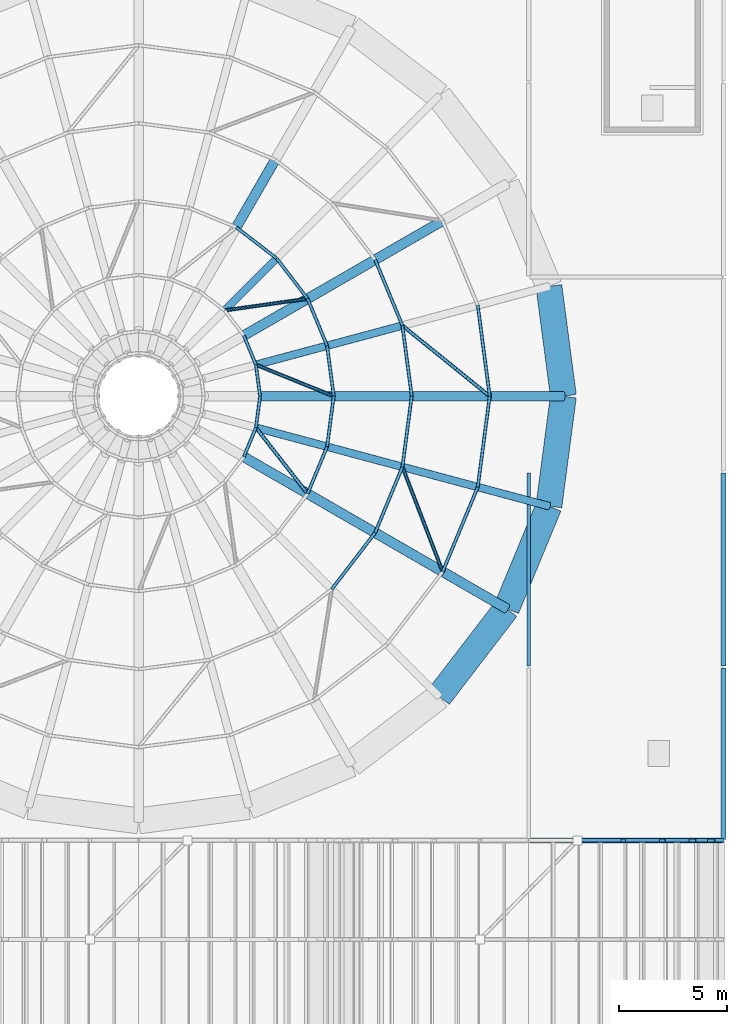
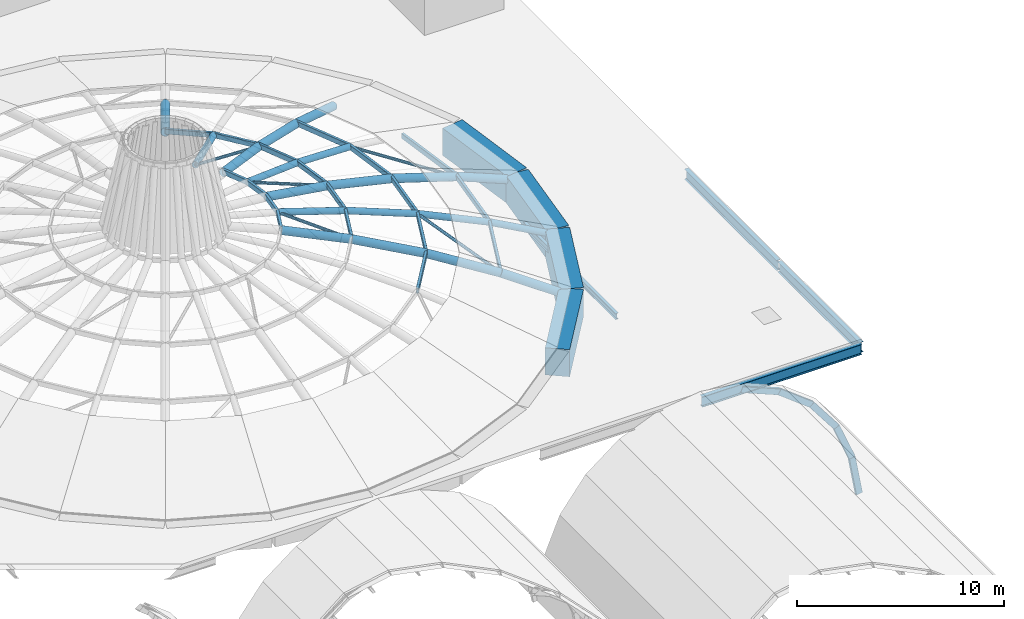
# One storey, part 11 of 25: 47 members, 8 beams.
"""IFC4 building model written with IfcOpenShell, lengths in metres."""

from ifc_helpers import new_model, si_unit, direction, frame, origin, origin_2d, place, context, subcontext, project, spatial, rectangle, hollow_rectangle, hollow_circle, i_section, extrude, material, material_profile, profile_set, type_object, element, save


model = new_model("IFC4")

# Units and contexts
model_context = context("Model", 3, precision=1e-05, world=origin(), true_north=direction((0.0, 1.0)))
body_context = subcontext(model_context, "Body", "Model", "MODEL_VIEW")
ifc_project = project(units=[si_unit("LENGTHUNIT", "METRE"), si_unit("AREAUNIT", "SQUARE_METRE"), si_unit("VOLUMEUNIT", "CUBIC_METRE"), si_unit("PLANEANGLEUNIT", "RADIAN"), si_unit("MASSUNIT", "GRAM", prefix="KILO")], contexts=[model_context])

# Site, building, storey
site_placement = place(None, origin())
site = spatial("IfcSite", under=ifc_project, at=site_placement, CompositionType="ELEMENT")
building_placement = place(site_placement, origin())
building = spatial("IfcBuilding", under=site, at=building_placement, Name="Marnock Terrace Opera House", CompositionType="ELEMENT")
storey_placement = place(building_placement, frame((0.0, 0.0, 28.199951171875)))
storey = spatial("IfcBuildingStorey", under=building, at=storey_placement, Name="RF", CompositionType="ELEMENT", Elevation=28.199951171875)

# Beams
ifc_material_1 = material(Name="Steel Grade 350 (AS/NZS 3679.1)", Category="steel")
ifc_material_profile_1 = material_profile(ifc_material_1, i_section(OverallWidth=0.1708984375, OverallDepth=0.355712890625, WebThickness=0.00732421875, FlangeThickness=0.011474609375, FilletRadius=0.011474609375, at=origin_2d()))
ifc_profile_set_1 = profile_set([ifc_material_profile_1], Name="Steel Grade 350 (AS/NZS 3679.1)")
beam_type_1 = type_object("IfcBeamType", Name="BM-GIRD-360", PredefinedType="BEAM", material=ifc_profile_set_1)
beam_1_placement = place(storey_placement, frame((100.0, 48.050048828125, -0.397705078125), z_axis=(0.0, 1.0, 0.0), x_axis=(-1.0, 0.0, 0.0)))
element("IfcBeam", 1, at=beam_1_placement, inside=storey, type_object=beam_type_1, Name="RF girder (X=100.0, 48.0..57.0)", PredefinedType="BEAM", context=body_context, shape_type="SweptSolid", body=[
    extrude(i_section(OverallWidth=0.1708984375, OverallDepth=0.355712890625, WebThickness=0.00732421875, FlangeThickness=0.011474609375, FilletRadius=0.011474609375, at=origin_2d()), origin(), (0.0, 0.0, 1.0), 8.89990234375),
])
ifc_material_profile_2 = material_profile(ifc_material_1, i_section(OverallWidth=0.22900390625, OverallDepth=0.611572265625, WebThickness=0.011962890625, FlangeThickness=0.01953125, FilletRadius=0.013916015625, at=origin_2d()))
ifc_profile_set_2 = profile_set([ifc_material_profile_2], Name="Steel Grade 350 (AS/NZS 3679.1)")
beam_type_2 = type_object("IfcBeamType", Name="BM-GIRD-610A", PredefinedType="BEAM", material=ifc_profile_set_2)
beam_2_placement = place(storey_placement, frame((100.050048828125, 40.0, -0.525634765625), z_axis=(1.0, 0.0, 0.0), x_axis=(0.0, 1.0, 0.0)))
element("IfcBeam", 2, at=beam_2_placement, inside=storey, type_object=beam_type_2, Name="RF girder (100.0..109.0, Y=40.0)", PredefinedType="BEAM", context=body_context, shape_type="SweptSolid", body=[
    extrude(i_section(OverallWidth=0.22900390625, OverallDepth=0.611572265625, WebThickness=0.011962890625, FlangeThickness=0.01953125, FilletRadius=0.013916015625, at=origin_2d()), origin(), (0.0, 0.0, 1.0), 8.89990234375),
])
ifc_material_profile_3 = material_profile(ifc_material_1, i_section(OverallWidth=0.22802734375, OverallDepth=0.60205078125, WebThickness=0.010498046875, FlangeThickness=0.014892578125, FilletRadius=0.013916015625, at=origin_2d()))
ifc_profile_set_3 = profile_set([ifc_material_profile_3], Name="Steel Grade 350 (AS/NZS 3679.1)")
beam_type_3 = type_object("IfcBeamType", Name="BM-GIRD-610C", PredefinedType="BEAM", material=ifc_profile_set_3)
beam_3_placement = place(storey_placement, frame((109.0, 40.050048828125, -0.52099609375), z_axis=(0.0, 1.0, 0.0), x_axis=(-1.0, 0.0, 0.0)))
element("IfcBeam", 3, at=beam_3_placement, inside=storey, type_object=beam_type_3, Name="RF girder (X=109.0, 40.0..48.0)", PredefinedType="BEAM", context=body_context, shape_type="SweptSolid", body=[
    extrude(i_section(OverallWidth=0.22802734375, OverallDepth=0.60205078125, WebThickness=0.010498046875, FlangeThickness=0.014892578125, FilletRadius=0.013916015625, at=origin_2d()), origin(), (0.0, 0.0, 1.0), 7.89990234375),
])
beam_4_placement = place(storey_placement, frame((109.0, 48.050048828125, -0.52099609375), z_axis=(0.0, 1.0, 0.0), x_axis=(-1.0, 0.0, 0.0)))
element("IfcBeam", 4, at=beam_4_placement, inside=storey, type_object=beam_type_3, Name="RF girder (X=109.0, 48.0..57.0)", PredefinedType="BEAM", context=body_context, shape_type="SweptSolid", body=[
    extrude(i_section(OverallWidth=0.22802734375, OverallDepth=0.60205078125, WebThickness=0.010498046875, FlangeThickness=0.014892578125, FilletRadius=0.013916015625, at=origin_2d()), origin(), (0.0, 0.0, 1.0), 8.89990234375),
])
ifc_material_2 = material(Name="Concrete N50 (f'c = 50 MPa)", Category="concrete")
ifc_material_profile_4 = material_profile(ifc_material_2, rectangle(XDim=1.199951171875, YDim=1.60009765625, at=origin_2d()))
ifc_profile_set_4 = profile_set([ifc_material_profile_4], Name="Concrete N50 (f'c = 50 MPa)")
beam_type_4 = type_object("IfcBeamType", Name="BM-RING-RC1200", PredefinedType="BEAM", material=ifc_profile_set_4)
beam_5_placement = place(storey_placement, frame((101.60009765625, 60.5, -0.800048828125), z_axis=(-0.130591512704, 0.99143625958, 0.0), x_axis=(-0.99143625958, -0.130591512704, 0.0)))
element("IfcBeam", 5, at=beam_5_placement, inside=storey, type_object=beam_type_4, Name="Auditorium drum Concrete N50 ring beam segment 1", PredefinedType="BEAM", context=body_context, shape_type="SweptSolid", body=[
    extrude(rectangle(XDim=1.199951171875, YDim=1.60009765625, at=origin_2d()), origin(), (0.0, 0.0, 1.0), 5.11669921875),
])
for number, where, z_axis, x_axis, name in (
    (6, (95.85888671875, 46.64111328125, -0.800048828125), (0.608857194409, 0.793279847731, 0.0), (-0.793279847731, 0.608857194409, 0.0), "Auditorium drum Concrete N50 ring beam segment 22"),
    (7, (98.97412109375, 50.699951171875, -0.800048828125), (0.382642581018, 0.923896452635, 0.0), (-0.923896452635, 0.382642581018, 0.0), "Auditorium drum Concrete N50 ring beam segment 23"),
):
    element("IfcBeam", number, at=place(storey_placement, frame(where, z_axis=z_axis, x_axis=x_axis)), inside=storey, type_object=beam_type_4, Name=name, PredefinedType="BEAM", context=body_context, shape_type="SweptSolid", body=[
        extrude(rectangle(XDim=1.199951171875, YDim=1.60009765625, at=origin_2d()), origin(), (0.0, 0.0, 1.0), 5.116455078125),
    ])
beam_6_placement = place(storey_placement, frame((100.931884765625, 55.427001953125, -0.800048828125), z_axis=(0.130591512704, 0.99143625958, 0.0), x_axis=(-0.99143625958, 0.130591512704, 0.0)))
element("IfcBeam", 8, at=beam_6_placement, inside=storey, type_object=beam_type_4, Name="Auditorium drum Concrete N50 ring beam segment 24", PredefinedType="BEAM", context=body_context, shape_type="SweptSolid", body=[
    extrude(rectangle(XDim=1.199951171875, YDim=1.60009765625, at=origin_2d()), origin(), (0.0, 0.0, 1.0), 5.11669921875),
])

# Members
ifc_material_3 = material(Name="Cold-formed Steel Grade C350L0 (AS/NZS 1163)", Category="steel")
ifc_material_profile_5 = material_profile(ifc_material_3, hollow_circle(Radius=0.084228515625, WallThickness=0.007080078125, at=origin_2d()))
ifc_profile_set_5 = profile_set([ifc_material_profile_5], Name="Cold-formed Steel Grade C350L0 (AS/NZS 1163)")
member_type_1 = type_object("IfcMemberType", Name="MEM-BRACE-CHS2", PredefinedType="BRACE", material=ifc_profile_set_5)
member_1_placement = place(storey_placement, frame((98.199951171875, 60.5, 0.932861328125), z_axis=(-0.757408080291, 0.613030606915, 0.224780948695), x_axis=(-0.629130483075, -0.777299707491, 0.0)))
element("IfcMember", 9, at=member_1_placement, inside=storey, type_object=member_type_1, Name="Auditorium dome diagonal shell brace 1.1", PredefinedType="BRACE", context=body_context, shape_type="SweptSolid", body=[
    extrude(hollow_circle(Radius=0.084228515625, WallThickness=0.007080078125, at=origin_2d()), origin(), (0.0, 0.0, 1.0), 5.31982421875),
])
for number, where, z_axis, x_axis, name in (
    (10, (91.0, 60.5, 2.915283203125), (-0.917112191808, 0.370199556892, 0.147842875087), (-0.374312933538, -0.92730244677, 0.0), "Auditorium dome diagonal shell brace 3.1"),
    (11, (89.794189453125, 65.0, 2.915283203125), (-0.97933723571, -0.137990150428, 0.147842135863), (0.139523376713, -0.990218777519, 0.0), "Auditorium dome diagonal shell brace 3.3"),
):
    element("IfcMember", number, at=place(storey_placement, frame(where, z_axis=z_axis, x_axis=x_axis)), inside=storey, type_object=member_type_1, Name=name, PredefinedType="BRACE", context=body_context, shape_type="SweptSolid", body=[
        extrude(hollow_circle(Radius=0.084228515625, WallThickness=0.007080078125, at=origin_2d()), origin(), (0.0, 0.0, 1.0), 3.915283203125),
    ])
member_2_placement = place(storey_placement, frame((96.029541015625, 52.39990234375, 0.932861328125), z_axis=(-0.349429396541, 0.9095995061, 0.224783974817), x_axis=(-0.933488769073, -0.358606634093, 0.0)))
element("IfcMember", 12, at=member_2_placement, inside=storey, type_object=member_type_1, Name="Auditorium dome diagonal shell brace 1.23", PredefinedType="BRACE", context=body_context, shape_type="SweptSolid", body=[
    extrude(hollow_circle(Radius=0.084228515625, WallThickness=0.007080078125, at=origin_2d()), origin(), (0.0, 0.0, 1.0), 5.31982421875),
])
member_3_placement = place(storey_placement, frame((89.794189453125, 56.0, 2.915283203125), z_axis=(-0.609160158233, 0.779143840426, 0.147847142509), x_axis=(-0.787801603873, -0.615929081092, 0.0)))
element("IfcMember", 13, at=member_3_placement, inside=storey, type_object=member_type_1, Name="Auditorium dome diagonal shell brace 3.23", PredefinedType="BRACE", context=body_context, shape_type="SweptSolid", body=[
    extrude(hollow_circle(Radius=0.084228515625, WallThickness=0.007080078125, at=origin_2d()), origin(), (0.0, 0.0, 1.0), 3.915283203125),
])
ifc_material_profile_6 = material_profile(ifc_material_3, hollow_circle(Radius=0.228515625, WallThickness=0.0126953125, at=origin_2d()))
ifc_profile_set_6 = profile_set([ifc_material_profile_6], Name="Cold-formed Steel Grade C350L0 (AS/NZS 1163)")
member_type_2 = type_object("IfcMemberType", Name="MEM-DOME-RIB1", PredefinedType="RAFTER", material=ifc_profile_set_6)
member_4_placement = place(storey_placement, frame((101.60009765625, 60.5, -0.447509765625), z_axis=(-0.926555721782, 0.0, 0.376157539381), x_axis=(0.0, -1.0, 0.0)))
element("IfcMember", 14, at=member_4_placement, inside=storey, type_object=member_type_2, Name="Auditorium dome meridian steel rib 1.1", PredefinedType="RAFTER", context=body_context, shape_type="SweptSolid", body=[
    extrude(hollow_circle(Radius=0.228515625, WallThickness=0.0126953125, at=origin_2d()), origin(), (0.0, 0.0, 1.0), 3.669677734375),
])
member_5_placement = place(storey_placement, frame((98.199951171875, 60.5, 0.932861328125), z_axis=(-0.95308608931, 0.0, 0.30269936631), x_axis=(0.0, -1.0, 0.0)))
element("IfcMember", 15, at=member_5_placement, inside=storey, type_object=member_type_2, Name="Auditorium dome meridian steel rib 1.2", PredefinedType="RAFTER", context=body_context, shape_type="SweptSolid", body=[
    extrude(hollow_circle(Radius=0.228515625, WallThickness=0.0126953125, at=origin_2d()), origin(), (0.0, 0.0, 1.0), 3.777099609375),
])
member_6_placement = place(storey_placement, frame((94.60009765625, 60.5, 2.076171875), z_axis=(-0.973895743392, 0.0, 0.226995773094), x_axis=(0.0, -1.0, 0.0)))
element("IfcMember", 16, at=member_6_placement, inside=storey, type_object=member_type_2, Name="Auditorium dome meridian steel rib 1.3", PredefinedType="RAFTER", context=body_context, shape_type="SweptSolid", body=[
    extrude(hollow_circle(Radius=0.228515625, WallThickness=0.0126953125, at=origin_2d()), origin(), (0.0, 0.0, 1.0), 3.696533203125),
])
member_7_placement = place(storey_placement, frame((91.0, 60.5, 2.915283203125), z_axis=(-0.988162407226, 0.0, 0.153411397704), x_axis=(0.0, -1.0, 0.0)))
element("IfcMember", 17, at=member_7_placement, inside=storey, type_object=member_type_2, Name="Auditorium dome meridian steel rib 1.4", PredefinedType="RAFTER", context=body_context, shape_type="SweptSolid", body=[
    extrude(hollow_circle(Radius=0.228515625, WallThickness=0.0126953125, at=origin_2d()), origin(), (0.0, 0.0, 1.0), 3.440673828125),
])
member_8_placement = place(storey_placement, frame((96.029541015625, 68.60009765625, 0.932861328125), z_axis=(-0.825393435403, -0.476556444732, 0.302687349882), x_axis=(0.500012057535, -0.866018442252, 0.0)))
element("IfcMember", 18, at=member_8_placement, inside=storey, type_object=member_type_2, Name="Auditorium dome meridian steel rib 3.2", PredefinedType="RAFTER", context=body_context, shape_type="SweptSolid", body=[
    extrude(hollow_circle(Radius=0.228515625, WallThickness=0.0126953125, at=origin_2d()), origin(), (0.0, 0.0, 1.0), 3.777099609375),
])
member_9_placement = place(storey_placement, frame((92.911865234375, 66.800048828125, 2.076171875), z_axis=(-0.843410626592, -0.486959009386, 0.227000965043), x_axis=(0.500012057535, -0.866018442252, 0.0)))
element("IfcMember", 19, at=member_9_placement, inside=storey, type_object=member_type_2, Name="Auditorium dome meridian steel rib 3.3", PredefinedType="RAFTER", context=body_context, shape_type="SweptSolid", body=[
    extrude(hollow_circle(Radius=0.228515625, WallThickness=0.0126953125, at=origin_2d()), origin(), (0.0, 0.0, 1.0), 3.696533203125),
])
member_10_placement = place(storey_placement, frame((89.794189453125, 65.0, 2.915283203125), z_axis=(-0.855768624059, -0.494089297622, 0.15341391088), x_axis=(0.500008388397, -0.866020560687, 0.0)))
element("IfcMember", 20, at=member_10_placement, inside=storey, type_object=member_type_2, Name="Auditorium dome meridian steel rib 3.4", PredefinedType="RAFTER", context=body_context, shape_type="SweptSolid", body=[
    extrude(hollow_circle(Radius=0.228515625, WallThickness=0.0126953125, at=origin_2d()), origin(), (0.0, 0.0, 1.0), 3.440673828125),
])
member_11_placement = place(storey_placement, frame((88.300048828125, 71.411865234375, 2.076171875), z_axis=(-0.486959009386, -0.843410626592, 0.227000965043), x_axis=(0.866018442252, -0.500012057535, 0.0)))
element("IfcMember", 21, at=member_11_placement, inside=storey, type_object=member_type_2, Name="Auditorium dome meridian steel rib 5.3", PredefinedType="RAFTER", context=body_context, shape_type="SweptSolid", body=[
    extrude(hollow_circle(Radius=0.228515625, WallThickness=0.0126953125, at=origin_2d()), origin(), (0.0, 0.0, 1.0), 3.696533203125),
])
member_12_placement = place(storey_placement, frame((98.97412109375, 50.699951171875, -0.447509765625), z_axis=(-0.802429941568, 0.463255093536, 0.376166063313), x_axis=(-0.499977295307, -0.866038511948, 0.0)))
element("IfcMember", 22, at=member_12_placement, inside=storey, type_object=member_type_2, Name="Auditorium dome meridian steel rib 23.1", PredefinedType="RAFTER", context=body_context, shape_type="SweptSolid", body=[
    extrude(hollow_circle(Radius=0.228515625, WallThickness=0.0126953125, at=origin_2d()), origin(), (0.0, 0.0, 1.0), 3.669677734375),
])
member_13_placement = place(storey_placement, frame((96.029541015625, 52.39990234375, 0.932861328125), z_axis=(-0.825393435403, 0.476556444732, 0.302687349882), x_axis=(-0.500012057535, -0.866018442252, 0.0)))
element("IfcMember", 23, at=member_13_placement, inside=storey, type_object=member_type_2, Name="Auditorium dome meridian steel rib 23.2", PredefinedType="RAFTER", context=body_context, shape_type="SweptSolid", body=[
    extrude(hollow_circle(Radius=0.228515625, WallThickness=0.0126953125, at=origin_2d()), origin(), (0.0, 0.0, 1.0), 3.777099609375),
])
member_14_placement = place(storey_placement, frame((92.911865234375, 54.199951171875, 2.076171875), z_axis=(-0.843410626592, 0.486959009386, 0.227000965043), x_axis=(-0.500012057535, -0.866018442252, 0.0)))
element("IfcMember", 24, at=member_14_placement, inside=storey, type_object=member_type_2, Name="Auditorium dome meridian steel rib 23.3", PredefinedType="RAFTER", context=body_context, shape_type="SweptSolid", body=[
    extrude(hollow_circle(Radius=0.228515625, WallThickness=0.0126953125, at=origin_2d()), origin(), (0.0, 0.0, 1.0), 3.696533203125),
])
member_15_placement = place(storey_placement, frame((89.794189453125, 56.0, 2.915283203125), z_axis=(-0.855768624059, 0.494089297622, 0.15341391088), x_axis=(-0.500008388397, -0.866020560687, 0.0)))
element("IfcMember", 25, at=member_15_placement, inside=storey, type_object=member_type_2, Name="Auditorium dome meridian steel rib 23.4", PredefinedType="RAFTER", context=body_context, shape_type="SweptSolid", body=[
    extrude(hollow_circle(Radius=0.228515625, WallThickness=0.0126953125, at=origin_2d()), origin(), (0.0, 0.0, 1.0), 3.440673828125),
])
ifc_material_profile_7 = material_profile(ifc_material_3, hollow_circle(Radius=0.177734375, WallThickness=0.0126953125, at=origin_2d()))
ifc_profile_set_7 = profile_set([ifc_material_profile_7], Name="Cold-formed Steel Grade C350L0 (AS/NZS 1163)")
member_type_3 = type_object("IfcMemberType", Name="MEM-DOME-RIB2", PredefinedType="RAFTER", material=ifc_profile_set_7)
member_16_placement = place(storey_placement, frame((94.170654296875, 63.76123046875, 2.128662109375), z_axis=(-0.940756200194, -0.252114471399, 0.226751108282), x_axis=(0.258856987296, -0.96591565891, 0.0)))
element("IfcMember", 26, at=member_16_placement, inside=storey, type_object=member_type_3, Name="Auditorium dome meridian steel rib 2.3", PredefinedType="RAFTER", context=body_context, shape_type="SweptSolid", body=[
    extrude(hollow_circle(Radius=0.177734375, WallThickness=0.0126953125, at=origin_2d()), origin(), (0.0, 0.0, 1.0), 3.6962890625),
])
member_17_placement = place(storey_placement, frame((90.693359375, 62.829345703125, 2.966796875), z_axis=(-0.954521061938, -0.255731036814, 0.153268323951), x_axis=(0.258788726886, -0.965933949521, 0.0)))
element("IfcMember", 27, at=member_17_placement, inside=storey, type_object=member_type_3, Name="Auditorium dome meridian steel rib 2.4", PredefinedType="RAFTER", context=body_context, shape_type="SweptSolid", body=[
    extrude(hollow_circle(Radius=0.177734375, WallThickness=0.0126953125, at=origin_2d()), origin(), (0.0, 0.0, 1.0), 3.440673828125),
])
member_18_placement = place(storey_placement, frame((88.364013671875, 66.864013671875, 2.966796875), z_axis=(-0.698752930171, -0.698752930171, 0.153260187771), x_axis=(0.707106781187, -0.707106781187, 0.0)))
element("IfcMember", 28, at=member_18_placement, inside=storey, type_object=member_type_3, Name="Auditorium dome meridian steel rib 4.4", PredefinedType="RAFTER", context=body_context, shape_type="SweptSolid", body=[
    extrude(hollow_circle(Radius=0.177734375, WallThickness=0.0126953125, at=origin_2d()), origin(), (0.0, 0.0, 1.0), 3.44091796875),
])
member_19_placement = place(storey_placement, frame((100.93212890625, 55.42724609375, -0.39208984375), z_axis=(-0.895120689773, 0.239816753341, 0.375828252739), x_axis=(-0.258788726886, -0.965933949521, 0.0)))
element("IfcMember", 29, at=member_19_placement, inside=storey, type_object=member_type_3, Name="Auditorium dome meridian steel rib 24.1", PredefinedType="RAFTER", context=body_context, shape_type="SweptSolid", body=[
    extrude(hollow_circle(Radius=0.177734375, WallThickness=0.0126953125, at=origin_2d()), origin(), (0.0, 0.0, 1.0), 3.6689453125),
])
member_20_placement = place(storey_placement, frame((97.64794921875, 56.30712890625, 0.98681640625), z_axis=(-0.920726875338, 0.246682142546, 0.302340770621), x_axis=(-0.258793712962, -0.96593261366, 0.0)))
element("IfcMember", 30, at=member_20_placement, inside=storey, type_object=member_type_3, Name="Auditorium dome meridian steel rib 24.2", PredefinedType="RAFTER", context=body_context, shape_type="SweptSolid", body=[
    extrude(hollow_circle(Radius=0.177734375, WallThickness=0.0126953125, at=origin_2d()), origin(), (0.0, 0.0, 1.0), 3.776611328125),
])
member_21_placement = place(storey_placement, frame((94.170654296875, 57.23876953125, 2.128662109375), z_axis=(-0.940756200194, 0.252114471399, 0.226751108282), x_axis=(-0.258856987296, -0.96591565891, 0.0)))
element("IfcMember", 31, at=member_21_placement, inside=storey, type_object=member_type_3, Name="Auditorium dome meridian steel rib 24.3", PredefinedType="RAFTER", context=body_context, shape_type="SweptSolid", body=[
    extrude(hollow_circle(Radius=0.177734375, WallThickness=0.0126953125, at=origin_2d()), origin(), (0.0, 0.0, 1.0), 3.6962890625),
])
member_22_placement = place(storey_placement, frame((90.693359375, 58.170654296875, 2.966796875), z_axis=(-0.954521061938, 0.255731036814, 0.153268323951), x_axis=(-0.258788726886, -0.965933949521, 0.0)))
element("IfcMember", 32, at=member_22_placement, inside=storey, type_object=member_type_3, Name="Auditorium dome meridian steel rib 24.4", PredefinedType="RAFTER", context=body_context, shape_type="SweptSolid", body=[
    extrude(hollow_circle(Radius=0.177734375, WallThickness=0.0126953125, at=origin_2d()), origin(), (0.0, 0.0, 1.0), 3.440673828125),
])
ifc_material_profile_8 = material_profile(ifc_material_3, hollow_rectangle(XDim=0.14990234375, YDim=0.300048828125, WallThickness=0.010009765625, InnerFilletRadius=0.010009765625, OuterFilletRadius=0.02001953125, at=origin_2d()))
ifc_profile_set_8 = profile_set([ifc_material_profile_8], Name="Cold-formed Steel Grade C350L0 (AS/NZS 1163)")
member_type_4 = type_object("IfcMemberType", Name="MEM-DOME-RING1", PredefinedType="PURLIN", material=ifc_profile_set_8)
member_23_placement = place(storey_placement, frame((98.199951171875, 60.5, 1.000732421875), z_axis=(-0.130526192585, 0.991444861326, 0.0), x_axis=(-0.991444861326, -0.130526192585, 0.0)))
element("IfcMember", 33, at=member_23_placement, inside=storey, type_object=member_type_4, Name="Auditorium dome latitude purlin ring 1.1", PredefinedType="PURLIN", context=body_context, shape_type="SweptSolid", body=[
    extrude(hollow_rectangle(XDim=0.14990234375, YDim=0.300048828125, WallThickness=0.010009765625, InnerFilletRadius=0.010009765625, OuterFilletRadius=0.02001953125, at=origin_2d()), origin(), (0.0, 0.0, 1.0), 4.22900390625),
])
member_24_placement = place(storey_placement, frame((94.60009765625, 60.5, 2.14453125), z_axis=(-0.130554348709, 0.991441154095, 0.0), x_axis=(-0.991441154095, -0.130554348709, 0.0)))
element("IfcMember", 34, at=member_24_placement, inside=storey, type_object=member_type_4, Name="Auditorium dome latitude purlin ring 2.1", PredefinedType="PURLIN", context=body_context, shape_type="SweptSolid", body=[
    extrude(hollow_rectangle(XDim=0.14990234375, YDim=0.300048828125, WallThickness=0.010009765625, InnerFilletRadius=0.010009765625, OuterFilletRadius=0.02001953125, at=origin_2d()), origin(), (0.0, 0.0, 1.0), 3.289306640625),
])
member_25_placement = place(storey_placement, frame((91.0, 60.5, 2.985595703125), z_axis=(-0.130516337425, 0.991446158732, 0.0), x_axis=(-0.991446158732, -0.130516337425, 0.0)))
element("IfcMember", 35, at=member_25_placement, inside=storey, type_object=member_type_4, Name="Auditorium dome latitude purlin ring 3.1", PredefinedType="PURLIN", context=body_context, shape_type="SweptSolid", body=[
    extrude(hollow_rectangle(XDim=0.14990234375, YDim=0.300048828125, WallThickness=0.010009765625, InnerFilletRadius=0.010009765625, OuterFilletRadius=0.02001953125, at=origin_2d()), origin(), (0.0, 0.0, 1.0), 2.349365234375),
])
member_26_placement = place(storey_placement, frame((87.60009765625, 60.5, 3.516357421875), z_axis=(-0.130588423975, 0.991436666421, 0.0), x_axis=(-0.991436666421, -0.130588423975, 0.0)))
element("IfcMember", 36, at=member_26_placement, inside=storey, type_object=member_type_4, Name="Auditorium dome latitude purlin ring 4.1", PredefinedType="PURLIN", context=body_context, shape_type="SweptSolid", body=[
    extrude(hollow_rectangle(XDim=0.14990234375, YDim=0.300048828125, WallThickness=0.010009765625, InnerFilletRadius=0.010009765625, OuterFilletRadius=0.02001953125, at=origin_2d()), origin(), (0.0, 0.0, 1.0), 1.4619140625),
])
member_27_placement = place(storey_placement, frame((94.170654296875, 63.76123046875, 2.14453125), z_axis=(-0.382701411628, 0.923872085052, 0.0), x_axis=(-0.923872085052, -0.382701411628, 0.0)))
element("IfcMember", 37, at=member_27_placement, inside=storey, type_object=member_type_4, Name="Auditorium dome latitude purlin ring 2.2", PredefinedType="PURLIN", context=body_context, shape_type="SweptSolid", body=[
    extrude(hollow_rectangle(XDim=0.14990234375, YDim=0.300048828125, WallThickness=0.010009765625, InnerFilletRadius=0.010009765625, OuterFilletRadius=0.02001953125, at=origin_2d()), origin(), (0.0, 0.0, 1.0), 3.289306640625),
])
member_28_placement = place(storey_placement, frame((90.693359375, 62.829345703125, 2.985595703125), z_axis=(-0.382703584926, 0.92387118479, 0.0), x_axis=(-0.92387118479, -0.382703584926, 0.0)))
element("IfcMember", 38, at=member_28_placement, inside=storey, type_object=member_type_4, Name="Auditorium dome latitude purlin ring 3.2", PredefinedType="PURLIN", context=body_context, shape_type="SweptSolid", body=[
    extrude(hollow_rectangle(XDim=0.14990234375, YDim=0.300048828125, WallThickness=0.010009765625, InnerFilletRadius=0.010009765625, OuterFilletRadius=0.02001953125, at=origin_2d()), origin(), (0.0, 0.0, 1.0), 2.349609375),
])
member_29_placement = place(storey_placement, frame((87.4091796875, 61.949462890625, 3.516357421875), z_axis=(-0.382622215492, 0.923904886994, 0.0), x_axis=(-0.923904886994, -0.382622215492, 0.0)))
element("IfcMember", 39, at=member_29_placement, inside=storey, type_object=member_type_4, Name="Auditorium dome latitude purlin ring 4.2", PredefinedType="PURLIN", context=body_context, shape_type="SweptSolid", body=[
    extrude(hollow_rectangle(XDim=0.14990234375, YDim=0.300048828125, WallThickness=0.010009765625, InnerFilletRadius=0.010009765625, OuterFilletRadius=0.02001953125, at=origin_2d()), origin(), (0.0, 0.0, 1.0), 1.4619140625),
])
for number, where, z_axis, x_axis, name in (
    (40, (89.794189453125, 65.0, 2.985595703125), (-0.608726008534, 0.793380518121, 0.0), (-0.793380518121, -0.608726008534, 0.0), "Auditorium dome latitude purlin ring 3.3"),
    (41, (88.364013671875, 66.864013671875, 2.985595703125), (-0.793380518121, 0.608726008534, 0.0), (-0.608726008534, -0.793380518121, 0.0), "Auditorium dome latitude purlin ring 3.4"),
):
    element("IfcMember", number, at=place(storey_placement, frame(where, z_axis=z_axis, x_axis=x_axis)), inside=storey, type_object=member_type_4, Name=name, PredefinedType="PURLIN", context=body_context, shape_type="SweptSolid", body=[
        extrude(hollow_rectangle(XDim=0.14990234375, YDim=0.300048828125, WallThickness=0.010009765625, InnerFilletRadius=0.010009765625, OuterFilletRadius=0.02001953125, at=origin_2d()), origin(), (0.0, 0.0, 1.0), 2.349365234375),
    ])
member_30_placement = place(storey_placement, frame((90.909423828125, 51.590576171875, 2.14453125), z_axis=(0.608799230599, 0.79332433268, 0.0), x_axis=(-0.79332433268, 0.608799230599, 0.0)))
element("IfcMember", 42, at=member_30_placement, inside=storey, type_object=member_type_4, Name="Auditorium dome latitude purlin ring 2.22", PredefinedType="PURLIN", context=body_context, shape_type="SweptSolid", body=[
    extrude(hollow_rectangle(XDim=0.14990234375, YDim=0.300048828125, WallThickness=0.010009765625, InnerFilletRadius=0.010009765625, OuterFilletRadius=0.02001953125, at=origin_2d()), origin(), (0.0, 0.0, 1.0), 3.2890625),
])
member_31_placement = place(storey_placement, frame((96.029541015625, 52.39990234375, 1.000732421875), z_axis=(0.382679793365, 0.923881039826, 0.0), x_axis=(-0.923881039826, 0.382679793365, 0.0)))
element("IfcMember", 43, at=member_31_placement, inside=storey, type_object=member_type_4, Name="Auditorium dome latitude purlin ring 1.23", PredefinedType="PURLIN", context=body_context, shape_type="SweptSolid", body=[
    extrude(hollow_rectangle(XDim=0.14990234375, YDim=0.300048828125, WallThickness=0.010009765625, InnerFilletRadius=0.010009765625, OuterFilletRadius=0.02001953125, at=origin_2d()), origin(), (0.0, 0.0, 1.0), 4.229248046875),
])
member_32_placement = place(storey_placement, frame((92.911865234375, 54.199951171875, 2.14453125), z_axis=(0.382701411628, 0.923872085052, 0.0), x_axis=(-0.923872085052, 0.382701411628, 0.0)))
element("IfcMember", 44, at=member_32_placement, inside=storey, type_object=member_type_4, Name="Auditorium dome latitude purlin ring 2.23", PredefinedType="PURLIN", context=body_context, shape_type="SweptSolid", body=[
    extrude(hollow_rectangle(XDim=0.14990234375, YDim=0.300048828125, WallThickness=0.010009765625, InnerFilletRadius=0.010009765625, OuterFilletRadius=0.02001953125, at=origin_2d()), origin(), (0.0, 0.0, 1.0), 3.289306640625),
])
member_33_placement = place(storey_placement, frame((89.794189453125, 56.0, 2.985595703125), z_axis=(0.382703584926, 0.92387118479, 0.0), x_axis=(-0.92387118479, 0.382703584926, 0.0)))
element("IfcMember", 45, at=member_33_placement, inside=storey, type_object=member_type_4, Name="Auditorium dome latitude purlin ring 3.23", PredefinedType="PURLIN", context=body_context, shape_type="SweptSolid", body=[
    extrude(hollow_rectangle(XDim=0.14990234375, YDim=0.300048828125, WallThickness=0.010009765625, InnerFilletRadius=0.010009765625, OuterFilletRadius=0.02001953125, at=origin_2d()), origin(), (0.0, 0.0, 1.0), 2.349609375),
])
member_34_placement = place(storey_placement, frame((86.849853515625, 57.699951171875, 3.516357421875), z_axis=(0.382622215492, 0.923904886994, 0.0), x_axis=(-0.923904886994, 0.382622215492, 0.0)))
element("IfcMember", 46, at=member_34_placement, inside=storey, type_object=member_type_4, Name="Auditorium dome latitude purlin ring 4.23", PredefinedType="PURLIN", context=body_context, shape_type="SweptSolid", body=[
    extrude(hollow_rectangle(XDim=0.14990234375, YDim=0.300048828125, WallThickness=0.010009765625, InnerFilletRadius=0.010009765625, OuterFilletRadius=0.02001953125, at=origin_2d()), origin(), (0.0, 0.0, 1.0), 1.4619140625),
])
member_35_placement = place(storey_placement, frame((97.64794921875, 56.30712890625, 1.000732421875), z_axis=(0.130526192585, 0.991444861326, 0.0), x_axis=(-0.991444861326, 0.130526192585, 0.0)))
element("IfcMember", 47, at=member_35_placement, inside=storey, type_object=member_type_4, Name="Auditorium dome latitude purlin ring 1.24", PredefinedType="PURLIN", context=body_context, shape_type="SweptSolid", body=[
    extrude(hollow_rectangle(XDim=0.14990234375, YDim=0.300048828125, WallThickness=0.010009765625, InnerFilletRadius=0.010009765625, OuterFilletRadius=0.02001953125, at=origin_2d()), origin(), (0.0, 0.0, 1.0), 4.22900390625),
])
member_36_placement = place(storey_placement, frame((94.170654296875, 57.23876953125, 2.14453125), z_axis=(0.130554348709, 0.991441154095, 0.0), x_axis=(-0.991441154095, 0.130554348709, 0.0)))
element("IfcMember", 48, at=member_36_placement, inside=storey, type_object=member_type_4, Name="Auditorium dome latitude purlin ring 2.24", PredefinedType="PURLIN", context=body_context, shape_type="SweptSolid", body=[
    extrude(hollow_rectangle(XDim=0.14990234375, YDim=0.300048828125, WallThickness=0.010009765625, InnerFilletRadius=0.010009765625, OuterFilletRadius=0.02001953125, at=origin_2d()), origin(), (0.0, 0.0, 1.0), 3.289306640625),
])
member_37_placement = place(storey_placement, frame((90.693359375, 58.170654296875, 2.985595703125), z_axis=(0.130516337425, 0.991446158732, 0.0), x_axis=(-0.991446158732, 0.130516337425, 0.0)))
element("IfcMember", 49, at=member_37_placement, inside=storey, type_object=member_type_4, Name="Auditorium dome latitude purlin ring 3.24", PredefinedType="PURLIN", context=body_context, shape_type="SweptSolid", body=[
    extrude(hollow_rectangle(XDim=0.14990234375, YDim=0.300048828125, WallThickness=0.010009765625, InnerFilletRadius=0.010009765625, OuterFilletRadius=0.02001953125, at=origin_2d()), origin(), (0.0, 0.0, 1.0), 2.349365234375),
])
member_38_placement = place(storey_placement, frame((87.4091796875, 59.050537109375, 3.516357421875), z_axis=(0.130588423975, 0.991436666421, 0.0), x_axis=(-0.991436666421, 0.130588423975, 0.0)))
element("IfcMember", 50, at=member_38_placement, inside=storey, type_object=member_type_4, Name="Auditorium dome latitude purlin ring 4.24", PredefinedType="PURLIN", context=body_context, shape_type="SweptSolid", body=[
    extrude(hollow_rectangle(XDim=0.14990234375, YDim=0.300048828125, WallThickness=0.010009765625, InnerFilletRadius=0.010009765625, OuterFilletRadius=0.02001953125, at=origin_2d()), origin(), (0.0, 0.0, 1.0), 1.4619140625),
])
ifc_material_profile_9 = material_profile(ifc_material_3, hollow_rectangle(XDim=0.175048828125, YDim=0.35009765625, WallThickness=0.010009765625, InnerFilletRadius=0.010009765625, OuterFilletRadius=0.02001953125, at=origin_2d()))
ifc_profile_set_9 = profile_set([ifc_material_profile_9], Name="Cold-formed Steel Grade C350L0 (AS/NZS 1163)")
member_type_5 = type_object("IfcMemberType", Name="MEM-VAULT-ARCH2", PredefinedType="CHORD", material=ifc_profile_set_9)
member_39_placement = place(storey_placement, frame((102.2568359375, 40.0, -0.5771484375), z_axis=(0.923896587744, 0.0, -0.382642254796), x_axis=(0.0, 1.0, 0.0)))
element("IfcMember", 51, at=member_39_placement, inside=storey, type_object=member_type_5, Name="Barrel vault 3 station 8 arch chord 8", PredefinedType="CHORD", context=body_context, shape_type="SweptSolid", body=[
    extrude(hollow_rectangle(XDim=0.175048828125, YDim=0.35009765625, WallThickness=0.010009765625, InnerFilletRadius=0.010009765625, OuterFilletRadius=0.02001953125, at=origin_2d()), origin(), (0.0, 0.0, 1.0), 2.276611328125),
])
for number, where, z_axis, x_axis, name in (
    (52, (104.360107421875, 40.0, -1.4482421875), (0.793349078761, 0.0, -0.608766982702), (0.0, 1.0, 0.0), "Barrel vault 3 station 8 arch chord 9"),
    (53, (106.166015625, 40.0, -2.833984375), (0.608766982702, 0.0, -0.793349078761), (0.0, 1.0, 0.0), "Barrel vault 3 station 8 arch chord 10"),
):
    element("IfcMember", number, at=place(storey_placement, frame(where, z_axis=z_axis, x_axis=x_axis)), inside=storey, type_object=member_type_5, Name=name, PredefinedType="CHORD", context=body_context, shape_type="SweptSolid", body=[
        extrude(hollow_rectangle(XDim=0.175048828125, YDim=0.35009765625, WallThickness=0.010009765625, InnerFilletRadius=0.010009765625, OuterFilletRadius=0.02001953125, at=origin_2d()), origin(), (0.0, 0.0, 1.0), 2.2763671875),
    ])
member_40_placement = place(storey_placement, frame((107.5517578125, 40.0, -4.639892578125), z_axis=(0.382642254796, 0.0, -0.923896587744), x_axis=(0.0, 1.0, 0.0)))
element("IfcMember", 54, at=member_40_placement, inside=storey, type_object=member_type_5, Name="Barrel vault 3 station 8 arch chord 11", PredefinedType="CHORD", context=body_context, shape_type="SweptSolid", body=[
    extrude(hollow_rectangle(XDim=0.175048828125, YDim=0.35009765625, WallThickness=0.010009765625, InnerFilletRadius=0.010009765625, OuterFilletRadius=0.02001953125, at=origin_2d()), origin(), (0.0, 0.0, 1.0), 2.276611328125),
])
member_41_placement = place(storey_placement, frame((108.4228515625, 40.0, -6.7431640625), z_axis=(0.173341635248, 0.0, -0.984861755522), x_axis=(0.0, 1.0, 0.0)))
element("IfcMember", 55, at=member_41_placement, inside=storey, type_object=member_type_5, Name="Barrel vault 3 station 8 arch chord 12", PredefinedType="CHORD", context=body_context, shape_type="SweptSolid", body=[
    extrude(hollow_rectangle(XDim=0.175048828125, YDim=0.35009765625, WallThickness=0.010009765625, InnerFilletRadius=0.010009765625, OuterFilletRadius=0.02001953125, at=origin_2d()), origin(), (0.0, 0.0, 1.0), 2.29150390625),
])

save(model, "model.ifc")
